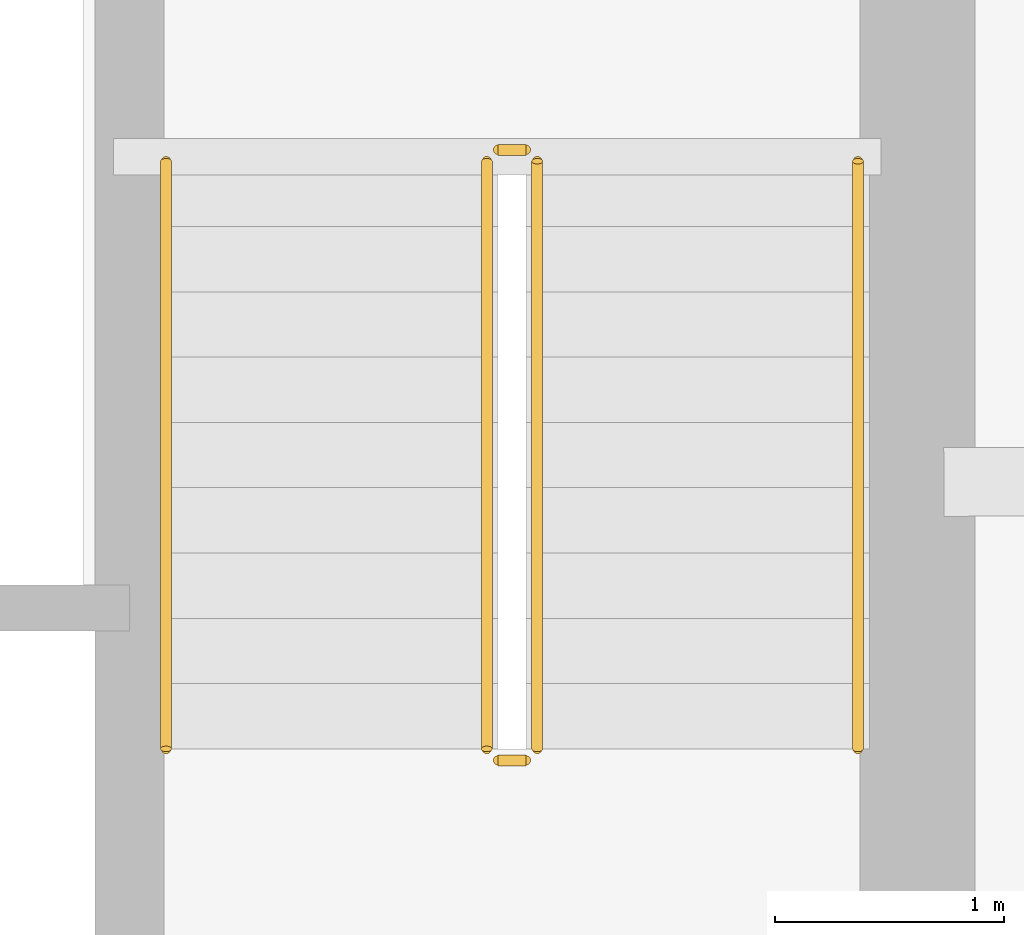
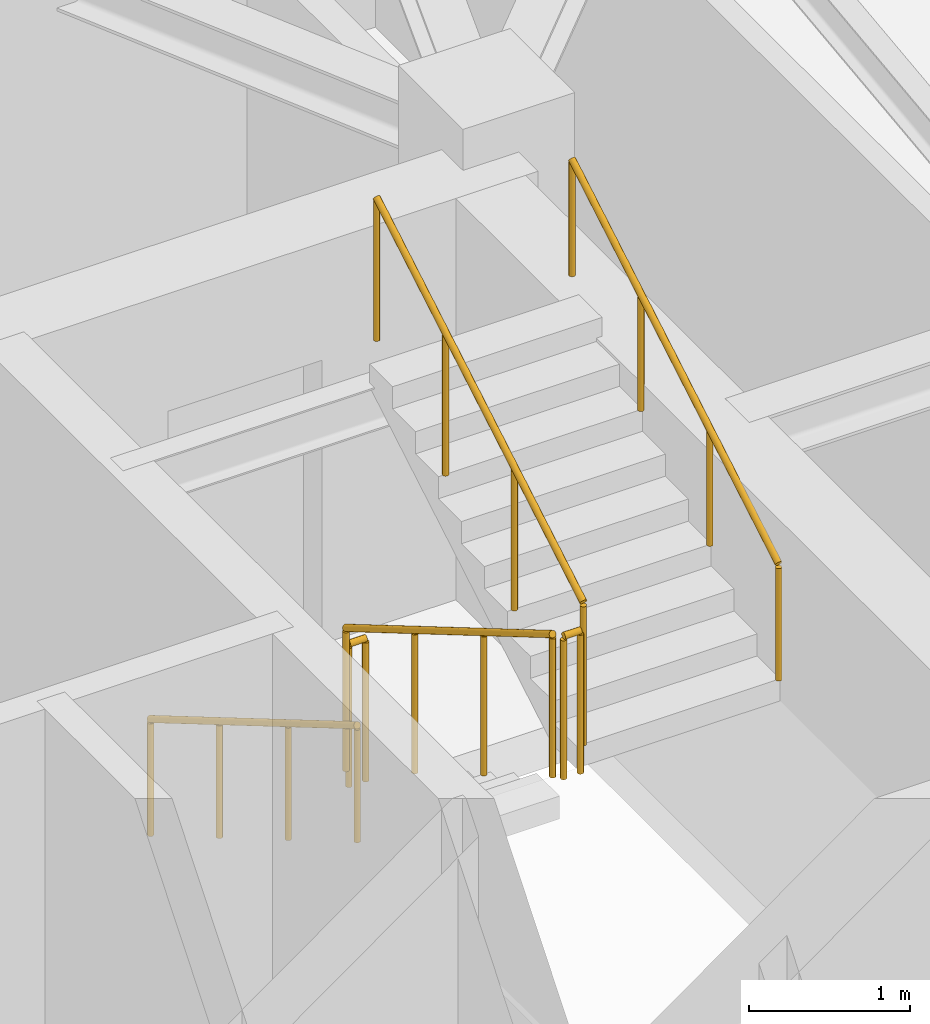
# One storey, part 11 of 11: 6 railings.
"""IFC4 building model written with IfcOpenShell, lengths in metres."""

from ifc_helpers import new_model, si_unit, direction, frame, origin, origin_2d, place, context, subcontext, project, spatial, circle, extrude, material, type_object, element, save


model = new_model("IFC4")

# Units and contexts
model_context = context("Model", 3, precision=1e-05, world=origin(), true_north=direction((0.0, 1.0)))
body_context = subcontext(model_context, "Body", "Model", "MODEL_VIEW")
ifc_project = project(units=[si_unit("LENGTHUNIT", "METRE"), si_unit("AREAUNIT", "SQUARE_METRE"), si_unit("VOLUMEUNIT", "CUBIC_METRE"), si_unit("PLANEANGLEUNIT", "RADIAN"), si_unit("MASSUNIT", "GRAM", prefix="KILO")], contexts=[model_context])

# Site, building, storey
site_placement = place(None, origin())
site = spatial("IfcSite", under=ifc_project, at=site_placement, CompositionType="ELEMENT")
building_placement = place(site_placement, origin())
building = spatial("IfcBuilding", under=site, at=building_placement, Name="Qobustan Lattice House", CompositionType="ELEMENT")
storey_placement = place(building_placement, frame((0.0, 0.0, 213.14990234375)))
storey = spatial("IfcBuildingStorey", under=building, at=storey_placement, Name="L60", CompositionType="ELEMENT", Elevation=213.14990234375)

# Railings
ifc_material_1 = material(Name="Brushed stainless steel handrail", Category="steel")
railing_type_1 = type_object("IfcRailingType", Name="RAL-HR-920", PredefinedType="HANDRAIL", material=ifc_material_1)
railing_1_placement = place(storey_placement, frame((15.179931640625, 3.5, 0.16748046875)))
element("IfcRailing", 1, at=railing_1_placement, inside=storey, type_object=railing_type_1, Name="L60 ST-E1 stair handrail 1", PredefinedType="HANDRAIL", context=body_context, shape_type="SweptSolid", body=[
    extrude(circle(Radius=0.02392578125, at=origin_2d()), frame((0.0, 0.0, 0.8759765625), z_axis=(0.0, -0.862113467892, 0.50671527358), x_axis=(1.0, 0.0, 0.0)), (0.0, 0.0, 1.0), 2.97509765625),
    extrude(circle(Radius=0.02099609375, at=origin_2d()), origin(), (0.0, 0.0, 1.0), 0.851806640625),
    extrude(circle(Radius=0.02099609375, at=origin_2d()), frame((0.0, -0.85498046875, 0.50244140625)), (0.0, 0.0, 1.0), 0.851806640625),
    extrude(circle(Radius=0.02099609375, at=origin_2d()), frame((0.0, -1.7099609375, 1.005126953125)), (0.0, 0.0, 1.0), 0.851806640625),
    extrude(circle(Radius=0.02099609375, at=origin_2d()), frame((0.0, -2.56494140625, 1.507568359375)), (0.0, 0.0, 1.0), 0.851806640625),
])
railing_2_placement = place(storey_placement, frame((18.199951171875, 0.93505859375, 1.842529296875)))
element("IfcRailing", 2, at=railing_2_placement, inside=storey, type_object=railing_type_1, Name="L60 ST-E1 stair handrail 2", PredefinedType="HANDRAIL", context=body_context, shape_type="SweptSolid", body=[
    extrude(circle(Radius=0.02392578125, at=origin_2d()), frame((0.0, 0.0, 0.8759765625), z_axis=(0.0, 0.862113467892, 0.50671527358), x_axis=(-1.0, 0.0, 0.0)), (0.0, 0.0, 1.0), 2.97509765625),
    extrude(circle(Radius=0.02099609375, at=origin_2d()), origin(), (0.0, 0.0, 1.0), 0.851806640625),
    extrude(circle(Radius=0.02099609375, at=origin_2d()), frame((0.0, 0.85498046875, 0.50244140625)), (0.0, 0.0, 1.0), 0.851806640625),
    extrude(circle(Radius=0.02099609375, at=origin_2d()), frame((0.0, 1.7099609375, 1.005126953125)), (0.0, 0.0, 1.0), 0.851806640625),
    extrude(circle(Radius=0.02099609375, at=origin_2d()), frame((0.0, 2.56494140625, 1.507568359375)), (0.0, 0.0, 1.0), 0.851806640625),
])
ifc_material_2 = material(Name="Painted galvanized steel guardrail", Category="steel")
railing_type_2 = type_object("IfcRailingType", Name="RAL-STG-1150", PredefinedType="GUARDRAIL", material=ifc_material_2)
railing_3_placement = place(storey_placement, frame((16.580078125, 3.5, 0.16748046875)))
element("IfcRailing", 3, at=railing_3_placement, inside=storey, type_object=railing_type_2, Name="L60 ST-E1 stair guard 1", PredefinedType="GUARDRAIL", context=body_context, shape_type="SweptSolid", body=[
    extrude(circle(Radius=0.02392578125, at=origin_2d()), frame((0.0, 0.0, 1.076171875), z_axis=(0.0, -0.862113467892, 0.50671527358), x_axis=(1.0, 0.0, 0.0)), (0.0, 0.0, 1.0), 2.97509765625),
    extrude(circle(Radius=0.02099609375, at=origin_2d()), origin(), (0.0, 0.0, 1.0), 1.052001953125),
    extrude(circle(Radius=0.02099609375, at=origin_2d()), frame((0.0, -0.85498046875, 0.50244140625)), (0.0, 0.0, 1.0), 1.052001953125),
    extrude(circle(Radius=0.02099609375, at=origin_2d()), frame((0.0, -1.7099609375, 1.005126953125)), (0.0, 0.0, 1.0), 1.052001953125),
    extrude(circle(Radius=0.02099609375, at=origin_2d()), frame((0.0, -2.56494140625, 1.507568359375)), (0.0, 0.0, 1.0), 1.052001953125),
])
railing_4_placement = place(storey_placement, frame((16.6298828125, 0.885009765625, 1.675048828125)))
element("IfcRailing", 4, at=railing_4_placement, inside=storey, type_object=railing_type_2, Name="L60 ST-E1 stair guard 2", PredefinedType="GUARDRAIL", context=body_context, shape_type="SweptSolid", body=[
    extrude(circle(Radius=0.02392578125, at=origin_2d()), frame((0.0, 0.0, 1.076171875), z_axis=(1.0, 0.0, 0.0), x_axis=(0.0, 1.0, 0.0)), (0.0, 0.0, 1.0), 0.1201171875),
    extrude(circle(Radius=0.02099609375, at=origin_2d()), origin(), (0.0, 0.0, 1.0), 1.052001953125),
    extrude(circle(Radius=0.02099609375, at=origin_2d()), frame((0.1201171875, 0.0, 0.0)), (0.0, 0.0, 1.0), 1.052001953125),
])
railing_5_placement = place(storey_placement, frame((16.800048828125, 0.93505859375, 1.842529296875)))
element("IfcRailing", 5, at=railing_5_placement, inside=storey, type_object=railing_type_2, Name="L60 ST-E1 stair guard 3", PredefinedType="GUARDRAIL", context=body_context, shape_type="SweptSolid", body=[
    extrude(circle(Radius=0.02392578125, at=origin_2d()), frame((0.0, 0.0, 1.076171875), z_axis=(0.0, 0.862113467892, 0.50671527358), x_axis=(-1.0, 0.0, 0.0)), (0.0, 0.0, 1.0), 2.97509765625),
    extrude(circle(Radius=0.02099609375, at=origin_2d()), origin(), (0.0, 0.0, 1.0), 1.052001953125),
    extrude(circle(Radius=0.02099609375, at=origin_2d()), frame((0.0, 0.85498046875, 0.50244140625)), (0.0, 0.0, 1.0), 1.052001953125),
    extrude(circle(Radius=0.02099609375, at=origin_2d()), frame((0.0, 1.7099609375, 1.005126953125)), (0.0, 0.0, 1.0), 1.052001953125),
    extrude(circle(Radius=0.02099609375, at=origin_2d()), frame((0.0, 2.56494140625, 1.507568359375)), (0.0, 0.0, 1.0), 1.052001953125),
])
railing_6_placement = place(storey_placement, frame((16.6298828125, 3.550048828125, 0.0)))
element("IfcRailing", 6, at=railing_6_placement, inside=storey, type_object=railing_type_2, Name="L60 ST-E1 stair guard 4", PredefinedType="GUARDRAIL", context=body_context, shape_type="SweptSolid", body=[
    extrude(circle(Radius=0.02392578125, at=origin_2d()), frame((0.0, 0.0, 1.076171875), z_axis=(1.0, 0.0, 0.0), x_axis=(0.0, 1.0, 0.0)), (0.0, 0.0, 1.0), 0.1201171875),
    extrude(circle(Radius=0.02099609375, at=origin_2d()), origin(), (0.0, 0.0, 1.0), 1.052001953125),
    extrude(circle(Radius=0.02099609375, at=origin_2d()), frame((0.1201171875, 0.0, 0.0)), (0.0, 0.0, 1.0), 1.052001953125),
])

save(model, "model.ifc")
